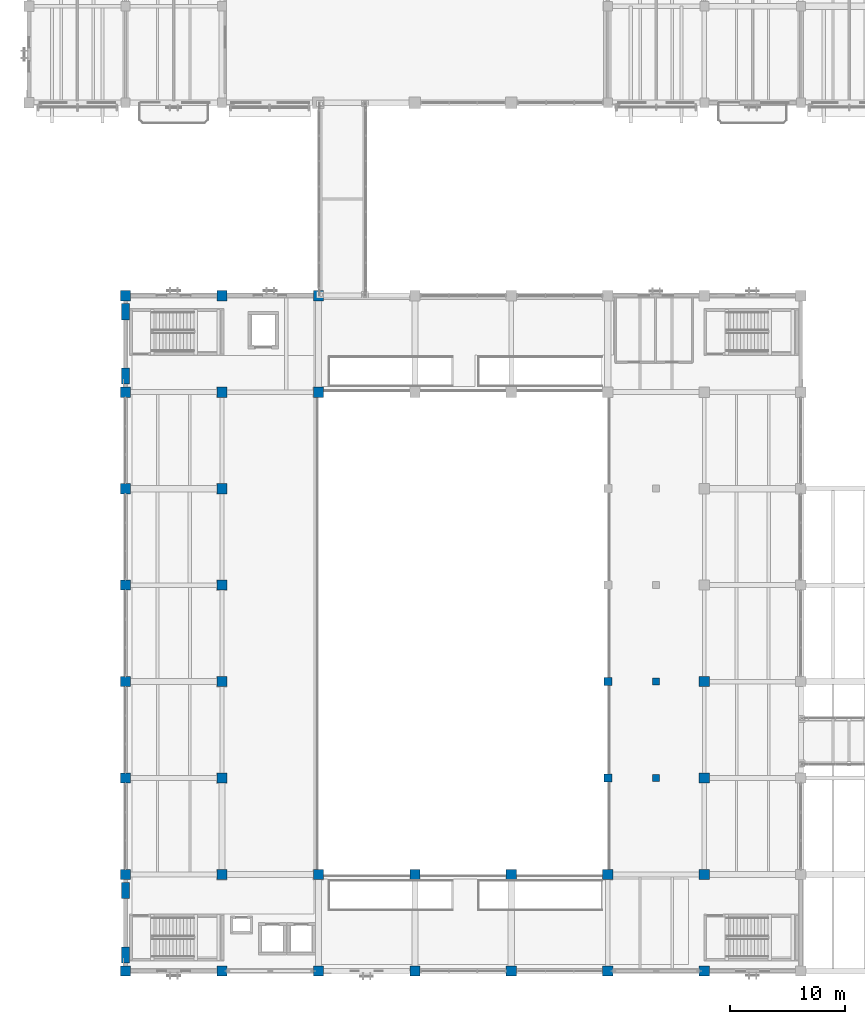
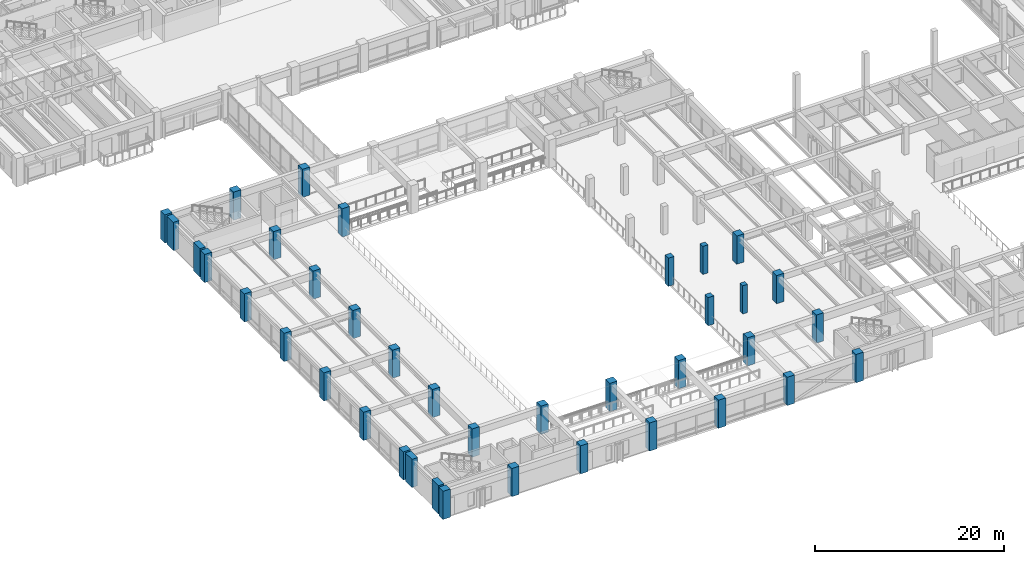
# One storey, part 1 of 118: 38 columns.
"""IFC4 building model written with IfcOpenShell, lengths in metres."""

from ifc_helpers import new_model, si_unit, direction, frame, origin, origin_2d, place, context, subcontext, project, spatial, rectangle, extrude, material, material_profile, profile_set, type_object, element, save


model = new_model("IFC4")

# Units and contexts
model_context = context("Model", 3, precision=1e-05, world=origin(), true_north=direction((0.0, 1.0)))
body_context = subcontext(model_context, "Body", "Model", "MODEL_VIEW")
ifc_project = project(units=[si_unit("LENGTHUNIT", "METRE"), si_unit("AREAUNIT", "SQUARE_METRE"), si_unit("VOLUMEUNIT", "CUBIC_METRE"), si_unit("PLANEANGLEUNIT", "RADIAN"), si_unit("MASSUNIT", "GRAM", prefix="KILO")], contexts=[model_context])

# Site, building, storey
site_placement = place(None, origin())
site = spatial("IfcSite", under=ifc_project, at=site_placement, CompositionType="ELEMENT")
building_placement = place(site_placement, origin())
building = spatial("IfcBuilding", under=site, at=building_placement, Name="Cumbredor Promenade Congress Hotel", CompositionType="ELEMENT")
storey_placement = place(building_placement, frame((0.0, 0.0, 3.919921875)))
storey = spatial("IfcBuildingStorey", under=building, at=storey_placement, Name="L01", CompositionType="ELEMENT", Elevation=3.919921875)

# Columns
ifc_material_1 = material(Name="Concrete C40/50", Category="concrete")
ifc_material_profile_1 = material_profile(ifc_material_1, rectangle(XDim=0.60009765625, YDim=0.60009765625, at=origin_2d()), Name="RC 600x600")
ifc_profile_set_1 = profile_set([ifc_material_profile_1], Name="Concrete C40/50")
column_type_1 = type_object("IfcColumnType", Name="COL-RC-600", PredefinedType="COLUMN", material=ifc_profile_set_1)
for number, where, z_axis, x_axis, name in (
    (1, (54.60009765625, 25.199951171875, 0.0), (0.0, 0.0, 1.0), (1.0, 0.0, 0.0), "L01 Balcony Tier Mid-Raker Column Y25"),
    (2, (54.60009765625, 33.60009765625, 0.0), (0.0, 0.0, 1.0), (1.0, 0.0, 0.0), "L01 Balcony Tier Mid-Raker Column Y33"),
):
    element("IfcColumn", number, at=place(storey_placement, frame(where, z_axis=z_axis, x_axis=x_axis)), inside=storey, type_object=column_type_1, Name=name, PredefinedType="COLUMN", context=body_context, shape_type="SweptSolid", body=[
        extrude(rectangle(XDim=0.60009765625, YDim=0.60009765625, at=origin_2d()), origin(), (0.0, 0.0, 1.0), 3.64013671875),
    ])
ifc_material_profile_2 = material_profile(ifc_material_1, rectangle(XDim=0.699951171875, YDim=0.699951171875, at=origin_2d()), Name="RC 700x700")
ifc_profile_set_2 = profile_set([ifc_material_profile_2], Name="Concrete C40/50")
column_type_2 = type_object("IfcColumnType", Name="COL-RC-700", PredefinedType="COLUMN", material=ifc_profile_set_2)
for number, where, z_axis, x_axis, name in (
    (3, (50.39990234375, 25.199951171875, 0.0), (0.0, 0.0, 1.0), (1.0, 0.0, 0.0), "L01 Balcony Bowl Perimeter Column Y25"),
    (4, (50.39990234375, 33.60009765625, 0.0), (0.0, 0.0, 1.0), (1.0, 0.0, 0.0), "L01 Balcony Bowl Perimeter Column Y33"),
):
    element("IfcColumn", number, at=place(storey_placement, frame(where, z_axis=z_axis, x_axis=x_axis)), inside=storey, type_object=column_type_2, Name=name, PredefinedType="COLUMN", context=body_context, shape_type="SweptSolid", body=[
        extrude(rectangle(XDim=0.699951171875, YDim=0.699951171875, at=origin_2d()), origin(), (0.0, 0.0, 1.0), 3.64013671875),
    ])
ifc_material_2 = material(Name="Concrete C50/60", Category="concrete")
ifc_material_profile_3 = material_profile(ifc_material_2, rectangle(XDim=0.89990234375, YDim=0.89990234375, at=origin_2d()), Name="RC 900x900")
ifc_profile_set_3 = profile_set([ifc_material_profile_3], Name="Concrete C50/60")
column_type_3 = type_object("IfcColumnType", Name="COL-RC-900", PredefinedType="COLUMN", material=ifc_profile_set_3)
for number, where, z_axis, x_axis, name in (
    (5, (8.39990234375, 8.39990234375, 0.0), (0.0, 0.0, 1.0), (1.0, 0.0, 0.0), "L01 Structural Column 006"),
    (6, (8.39990234375, 16.800048828125, 0.0), (0.0, 0.0, 1.0), (1.0, 0.0, 0.0), "L01 Structural Column 007"),
    (7, (8.39990234375, 25.199951171875, 0.0), (0.0, 0.0, 1.0), (1.0, 0.0, 0.0), "L01 Structural Column 008"),
    (8, (8.39990234375, 33.60009765625, 0.0), (0.0, 0.0, 1.0), (1.0, 0.0, 0.0), "L01 Structural Column 009"),
    (9, (8.39990234375, 42.0, 0.0), (0.0, 0.0, 1.0), (1.0, 0.0, 0.0), "L01 Structural Column 010"),
    (10, (8.39990234375, 50.39990234375, 0.0), (0.0, 0.0, 1.0), (1.0, 0.0, 0.0), "L01 Structural Column 011"),
    (11, (8.39990234375, 58.800048828125, 0.0), (0.0, 0.0, 1.0), (1.0, 0.0, 0.0), "L01 Structural Column 012"),
    (12, (8.39990234375, 67.199951171875, 0.0), (0.0, 0.0, 1.0), (1.0, 0.0, 0.0), "L01 Structural Column 013"),
    (13, (16.800048828125, 8.39990234375, 0.0), (0.0, 0.0, 1.0), (1.0, 0.0, 0.0), "L01 Structural Column 019"),
    (14, (16.800048828125, 16.800048828125, 0.0), (0.0, 0.0, 1.0), (1.0, 0.0, 0.0), "L01 Structural Column 020"),
    (15, (16.800048828125, 25.199951171875, 0.0), (0.0, 0.0, 1.0), (1.0, 0.0, 0.0), "L01 Structural Column 021"),
    (16, (16.800048828125, 33.60009765625, 0.0), (0.0, 0.0, 1.0), (1.0, 0.0, 0.0), "L01 Structural Column 022"),
    (17, (16.800048828125, 42.0, 0.0), (0.0, 0.0, 1.0), (1.0, 0.0, 0.0), "L01 Structural Column 023"),
    (18, (16.800048828125, 50.39990234375, 0.0), (0.0, 0.0, 1.0), (1.0, 0.0, 0.0), "L01 Structural Column 024"),
    (19, (16.800048828125, 58.800048828125, 0.0), (0.0, 0.0, 1.0), (1.0, 0.0, 0.0), "L01 Structural Column 025"),
    (20, (16.800048828125, 67.199951171875, 0.0), (0.0, 0.0, 1.0), (1.0, 0.0, 0.0), "L01 Structural Column 026"),
    (21, (25.199951171875, 8.39990234375, 0.0), (0.0, 0.0, 1.0), (1.0, 0.0, 0.0), "L01 Structural Column 032"),
    (22, (25.199951171875, 16.800048828125, 0.0), (0.0, 0.0, 1.0), (1.0, 0.0, 0.0), "L01 Structural Column 033"),
    (23, (25.199951171875, 58.800048828125, 0.0), (0.0, 0.0, 1.0), (1.0, 0.0, 0.0), "L01 Structural Column 034"),
    (24, (25.199951171875, 67.199951171875, 0.0), (0.0, 0.0, 1.0), (1.0, 0.0, 0.0), "L01 Structural Column 035"),
    (25, (33.60009765625, 8.39990234375, 0.0), (0.0, 0.0, 1.0), (1.0, 0.0, 0.0), "L01 Structural Column 040"),
    (26, (33.60009765625, 16.800048828125, 0.0), (0.0, 0.0, 1.0), (1.0, 0.0, 0.0), "L01 Structural Column 041"),
    (27, (42.0, 8.39990234375, 0.0), (0.0, 0.0, 1.0), (1.0, 0.0, 0.0), "L01 Structural Column 048"),
    (28, (42.0, 16.800048828125, 0.0), (0.0, 0.0, 1.0), (1.0, 0.0, 0.0), "L01 Structural Column 049"),
    (29, (50.39990234375, 8.39990234375, 0.0), (0.0, 0.0, 1.0), (1.0, 0.0, 0.0), "L01 Structural Column 056"),
    (30, (50.39990234375, 16.800048828125, 0.0), (0.0, 0.0, 1.0), (1.0, 0.0, 0.0), "L01 Structural Column 057"),
    (31, (58.800048828125, 8.39990234375, 0.0), (0.0, 0.0, 1.0), (1.0, 0.0, 0.0), "L01 Structural Column 065"),
    (32, (58.800048828125, 16.800048828125, 0.0), (0.0, 0.0, 1.0), (1.0, 0.0, 0.0), "L01 Structural Column 066"),
    (33, (58.800048828125, 25.199951171875, 0.0), (0.0, 0.0, 1.0), (1.0, 0.0, 0.0), "L01 Structural Column 067"),
    (34, (58.800048828125, 33.60009765625, 0.0), (0.0, 0.0, 1.0), (1.0, 0.0, 0.0), "L01 Structural Column 068"),
):
    element("IfcColumn", number, at=place(storey_placement, frame(where, z_axis=z_axis, x_axis=x_axis)), inside=storey, type_object=column_type_3, Name=name, PredefinedType="COLUMN", context=body_context, shape_type="SweptSolid", body=[
        extrude(rectangle(XDim=0.89990234375, YDim=0.89990234375, at=origin_2d()), origin(), (0.0, 0.0, 1.0), 3.64013671875),
    ])
ifc_material_profile_4 = material_profile(ifc_material_2, rectangle(XDim=0.699951171875, YDim=1.39990234375, at=origin_2d()), Name="RC PILASTER 1400x700")
ifc_profile_set_4 = profile_set([ifc_material_profile_4], Name="Concrete C50/60")
column_type_4 = type_object("IfcColumnType", Name="PIL-RC-1400x700", PredefinedType="PILASTER", material=ifc_profile_set_4)
for number, where, z_axis, x_axis, name in (
    (35, (8.39990234375, 9.800048828125, 0.0), (0.0, 0.0, 1.0), (1.0, 0.0, 0.0), "L01 Acoustic Seismic Pilaster 025"),
    (36, (8.39990234375, 15.39990234375, 0.0), (0.0, 0.0, 1.0), (1.0, 0.0, 0.0), "L01 Acoustic Seismic Pilaster 026"),
    (37, (8.39990234375, 60.199951171875, 0.0), (0.0, 0.0, 1.0), (1.0, 0.0, 0.0), "L01 Acoustic Seismic Pilaster 027"),
    (38, (8.39990234375, 65.800048828125, 0.0), (0.0, 0.0, 1.0), (1.0, 0.0, 0.0), "L01 Acoustic Seismic Pilaster 028"),
):
    element("IfcColumn", number, at=place(storey_placement, frame(where, z_axis=z_axis, x_axis=x_axis)), inside=storey, type_object=column_type_4, Name=name, PredefinedType="PILASTER", context=body_context, shape_type="SweptSolid", body=[
        extrude(rectangle(XDim=0.699951171875, YDim=1.39990234375, at=origin_2d()), origin(), (0.0, 0.0, 1.0), 3.64013671875),
    ])

save(model, "model.ifc")
